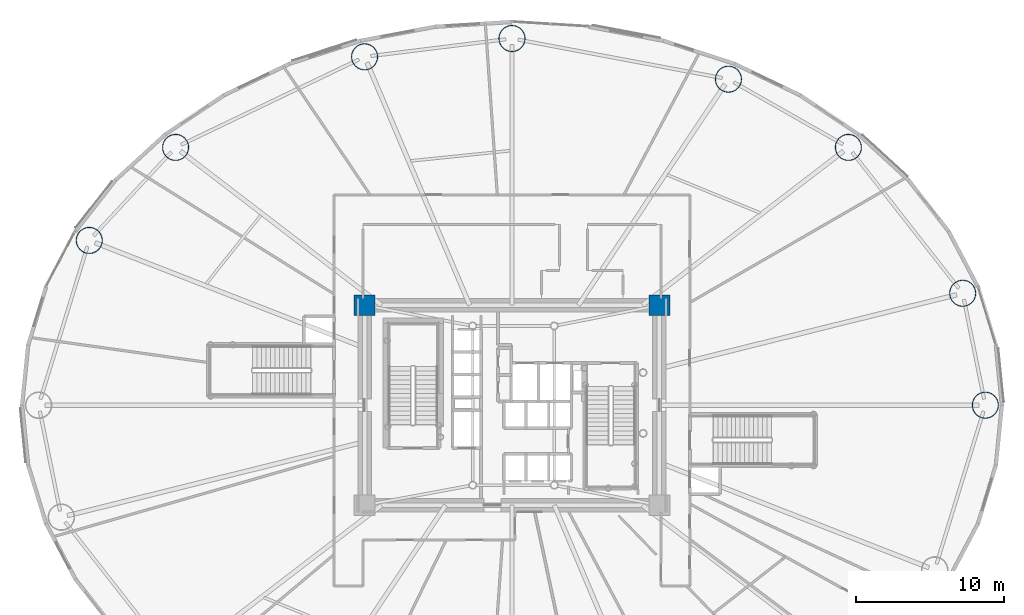
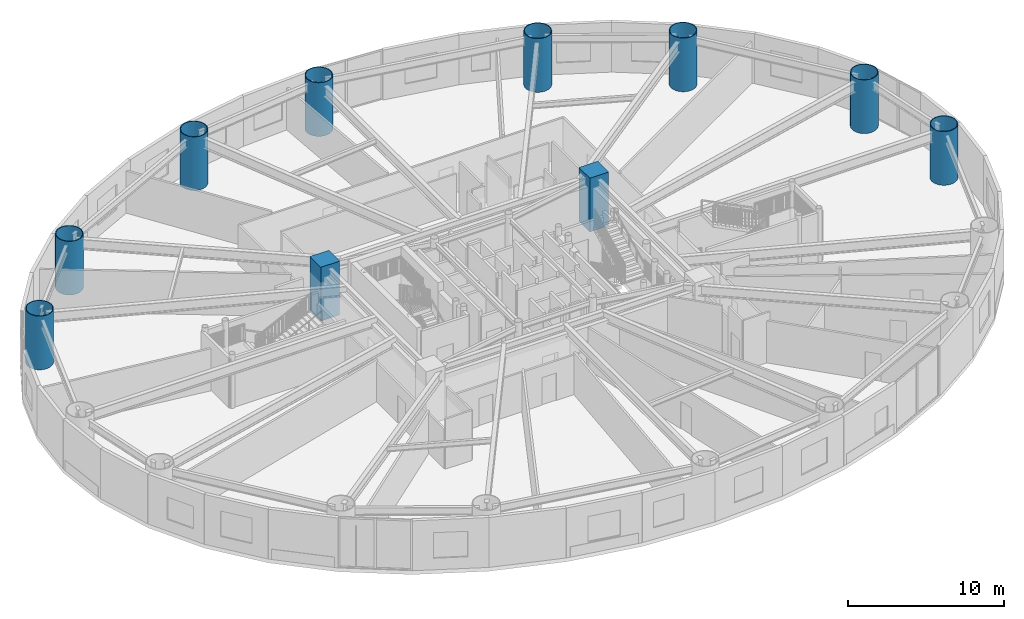
# One storey, part 3 of 27: 10 columns.
"""IFC4 building model written with IfcOpenShell, lengths in metres."""

from ifc_helpers import new_model, si_unit, direction, frame, origin, origin_2d, place, context, subcontext, project, spatial, rectangle, hollow_circle, extrude, material, material_profile, profile_set, type_object, element, save


model = new_model("IFC4")

# Units and contexts
model_context = context("Model", 3, precision=1e-05, world=origin(), true_north=direction((0.0, 1.0)))
body_context = subcontext(model_context, "Body", "Model", "MODEL_VIEW")
ifc_project = project(units=[si_unit("LENGTHUNIT", "METRE"), si_unit("AREAUNIT", "SQUARE_METRE"), si_unit("VOLUMEUNIT", "CUBIC_METRE"), si_unit("PLANEANGLEUNIT", "RADIAN"), si_unit("MASSUNIT", "GRAM", prefix="KILO")], contexts=[model_context])

# Site, building, storey
site_placement = place(None, origin())
site = spatial("IfcSite", under=ifc_project, at=site_placement, CompositionType="ELEMENT")
building_placement = place(site_placement, origin())
building = spatial("IfcBuilding", under=site, at=building_placement, Name="Linh Dai School and Residence Tower", CompositionType="ELEMENT")
storey_placement = place(building_placement, frame((0.0, 0.0, 18.60009765625)))
storey = spatial("IfcBuildingStorey", under=building, at=storey_placement, Name="L04", CompositionType="ELEMENT", Elevation=18.60009765625)

# Columns
ifc_material_1 = material(Name="Concrete B60 (C50/60)", Category="concrete")
ifc_material_profile_1 = material_profile(ifc_material_1, rectangle(XDim=1.39990234375, YDim=1.39990234375, at=origin_2d()), Name="RC 1400x1400")
ifc_profile_set_1 = profile_set([ifc_material_profile_1], Name="Concrete B60 (C50/60)")
column_type_1 = type_object("IfcColumnType", Name="COL-CC1", PredefinedType="COLUMN", material=ifc_profile_set_1)
for number, where, z_axis, x_axis, name in (
    (1, (45.949951171875, 33.75, 0.0), (0.0, 0.0, 1.0), (1.0, 0.0, 0.0), "L04 Core Corner Pier CC3"),
    (2, (26.050048828125, 33.75, 0.0), (0.0, 0.0, 1.0), (1.0, 0.0, 0.0), "L04 Core Corner Pier CC4"),
):
    element("IfcColumn", number, at=place(storey_placement, frame(where, z_axis=z_axis, x_axis=x_axis)), inside=storey, type_object=column_type_1, Name=name, PredefinedType="COLUMN", context=body_context, shape_type="SweptSolid", body=[
        extrude(rectangle(XDim=1.39990234375, YDim=1.39990234375, at=origin_2d()), origin(), (0.0, 0.0, 1.0), 4.199951171875),
    ])
ifc_material_2 = material(Name="Structural Steel S355JR", Category="steel")
ifc_material_profile_2 = material_profile(ifc_material_2, hollow_circle(Radius=0.89990234375, WallThickness=0.050048828125, at=origin_2d()), Name="CHS 1800x50")
ifc_profile_set_2 = profile_set([ifc_material_profile_2], Name="Structural Steel S355JR")
column_type_2 = type_object("IfcColumnType", Name="COL-MC1", PredefinedType="COLUMN", material=ifc_profile_set_2)
for number, where, z_axis, x_axis, name in (
    (3, (67.949951171875, 27.0, 0.0), (0.0, 0.0, 1.0), (1.0, 0.0, 0.0), "L04 Perimeter CFT Mega-Column MC01"),
    (4, (66.42041015625, 34.555419921875, 0.0), (0.0, 0.0, 1.0), (1.0, 0.0, 0.0), "L04 Perimeter CFT Mega-Column MC02"),
    (5, (58.705322265625, 44.400634765625, 0.0), (0.0, 0.0, 1.0), (1.0, 0.0, 0.0), "L04 Perimeter CFT Mega-Column MC03"),
    (6, (50.609130859375, 49.005126953125, 0.0), (0.0, 0.0, 1.0), (1.0, 0.0, 0.0), "L04 Perimeter CFT Mega-Column MC04"),
    (7, (36.0, 51.75, 0.0), (0.0, 0.0, 1.0), (1.0, 0.0, 0.0), "L04 Perimeter CFT Mega-Column MC05"),
    (8, (26.048828125, 50.51611328125, 0.0), (0.0, 0.0, 1.0), (1.0, 0.0, 0.0), "L04 Perimeter CFT Mega-Column MC06"),
    (9, (13.294677734375, 44.400634765625, 0.0), (0.0, 0.0, 1.0), (1.0, 0.0, 0.0), "L04 Perimeter CFT Mega-Column MC07"),
    (10, (7.46630859375, 38.1220703125, 0.0), (0.0, 0.0, 1.0), (1.0, 0.0, 0.0), "L04 Perimeter CFT Mega-Column MC08"),
):
    element("IfcColumn", number, at=place(storey_placement, frame(where, z_axis=z_axis, x_axis=x_axis)), inside=storey, type_object=column_type_2, Name=name, PredefinedType="COLUMN", context=body_context, shape_type="SweptSolid", body=[
        extrude(hollow_circle(Radius=0.89990234375, WallThickness=0.050048828125, at=origin_2d()), origin(), (0.0, 0.0, 1.0), 4.199951171875),
    ])

save(model, "model.ifc")
